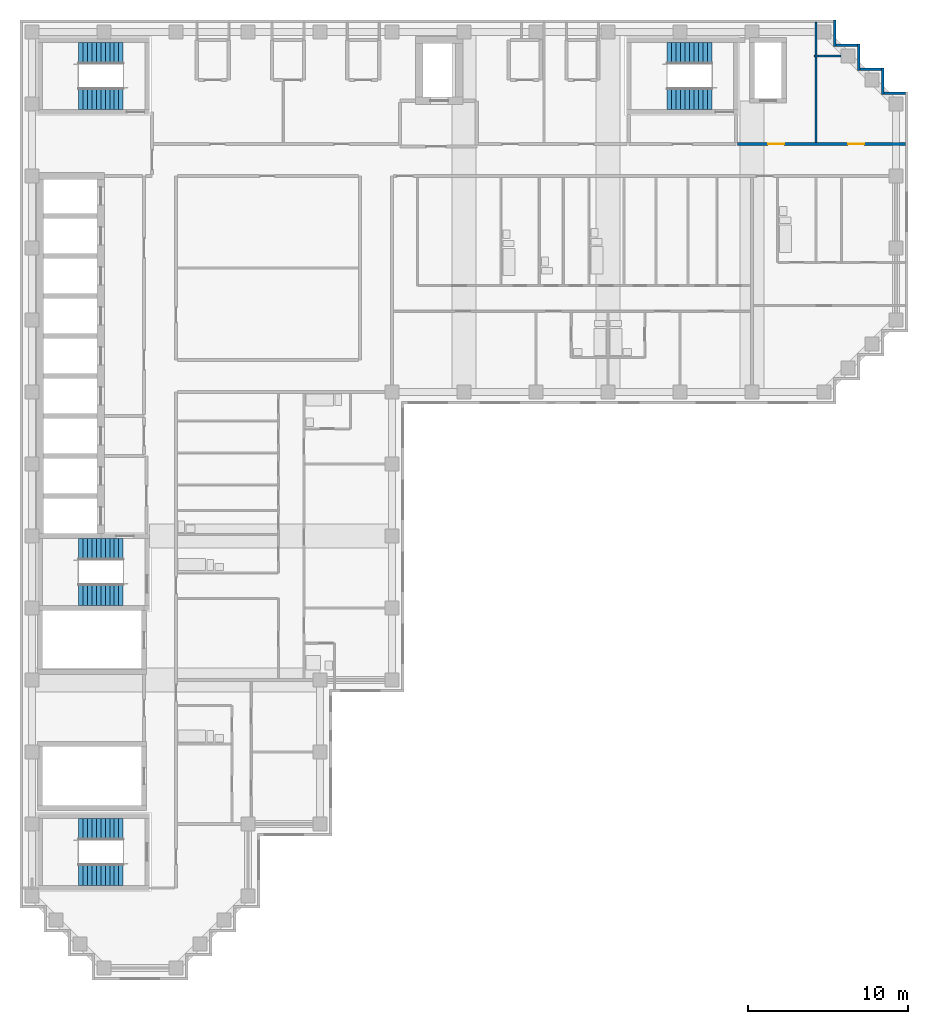
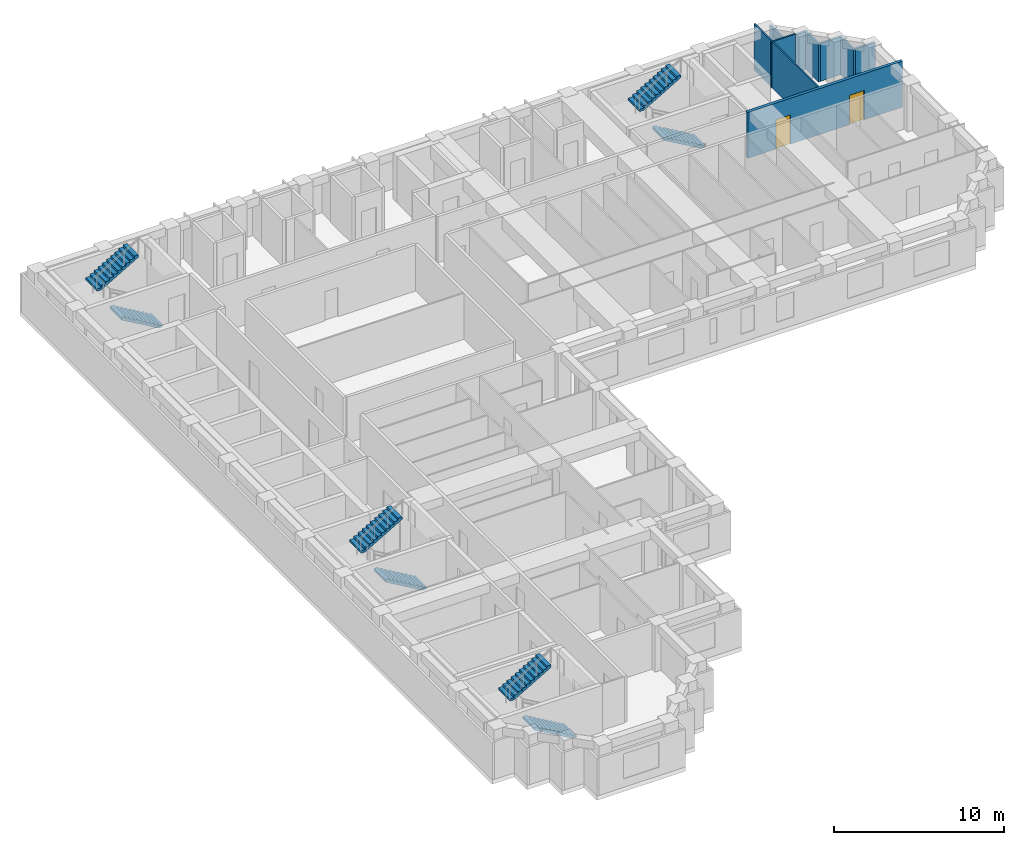
# One storey, part 8 of 10: 9 walls, 8 stair flights, 2 doors, 2 openings, 4 elements without a shape of their own.
"""IFC4 building model written with IfcOpenShell, lengths in metres."""

from ifc_helpers import new_model, si_unit, direction, frame, frame_2d, origin, place, context, subcontext, project, spatial, polyline, rectangle, outline, extrude, material, layer, layer_set, type_object, element, fill, aggregate, save


model = new_model("IFC4")

# Units and contexts
model_context = context("Model", 3, precision=1e-05, world=origin(), true_north=direction((0.0, 1.0)))
body_context = subcontext(model_context, "Body", "Model", "MODEL_VIEW")
ifc_project = project(units=[si_unit("LENGTHUNIT", "METRE"), si_unit("AREAUNIT", "SQUARE_METRE"), si_unit("VOLUMEUNIT", "CUBIC_METRE"), si_unit("PLANEANGLEUNIT", "RADIAN"), si_unit("MASSUNIT", "GRAM", prefix="KILO")], contexts=[model_context])

# Site, building, storey
site_placement = place(None, origin())
site = spatial("IfcSite", under=ifc_project, at=site_placement, CompositionType="ELEMENT")
building_placement = place(site_placement, origin())
building = spatial("IfcBuilding", under=site, at=building_placement, Name="Firuza Court", CompositionType="ELEMENT")
storey_placement = place(building_placement, frame((0.0, 0.0, 204.199951171875)))
storey = spatial("IfcBuildingStorey", under=building, at=storey_placement, Name="L52", CompositionType="ELEMENT", Elevation=204.199951171875)

# Wall, openings, doors
ifc_material_1 = material(Name="Blockwork, plastered both sides", Category="masonry")
ifc_layer_1 = layer(ifc_material_1, 0.199951171875)
ifc_layer_set_1 = layer_set([ifc_layer_1], Name="Blockwork, plastered both sides")
wall_type_1 = type_object("IfcWallType", Name="Corridor wall 200", PredefinedType="PARTITIONING", material=ifc_layer_set_1)
wall_1_placement = place(storey_placement, frame((44.10009765625, 51.5, 0.0), z_axis=(0.0, 0.0, 1.0), x_axis=(1.0, 0.0, 0.0)))
wall_1 = element("IfcWall", 1, at=wall_1_placement, inside=storey, type_object=wall_type_1, Name="Corridor wall 200 L52", PredefinedType="PARTITIONING", context=body_context, shape_type="SweptSolid", body=[
    extrude(rectangle(XDim=10.5, YDim=0.199951171875, at=frame_2d((5.25, 0.0))), origin(), (0.0, 0.0, 1.0), 3.300048828125),
])
opening_1_placement = place(wall_1_placement, frame((1.89990234375, 0.0, 0.0)))
opening_1 = element("IfcOpeningElement", 2, at=opening_1_placement, cuts=wall_1, Name="Opening D52063", PredefinedType="OPENING", context=body_context, shape_type="SweptSolid", body=[
    extrude(rectangle(XDim=1.0, YDim=2.10009765625, at=frame_2d((0.5, 1.050048828125))), frame((0.0, 0.11181640625, 0.0), z_axis=(0.0, -1.0, 0.0), x_axis=(1.0, 0.0, 0.0)), (0.0, 0.0, 1.0), 0.223876953125),
])
opening_2_placement = place(wall_1_placement, frame((6.89990234375, 0.0, 0.0)))
opening_2 = element("IfcOpeningElement", 3, at=opening_2_placement, cuts=wall_1, Name="Opening D52064", PredefinedType="OPENING", context=body_context, shape_type="SweptSolid", body=[
    extrude(rectangle(XDim=1.0, YDim=2.10009765625, at=frame_2d((0.5, 1.050048828125))), frame((0.0, 0.11181640625, 0.0), z_axis=(0.0, -1.0, 0.0), x_axis=(1.0, 0.0, 0.0)), (0.0, 0.0, 1.0), 0.223876953125),
])
ifc_material_2 = material(Name="Timber door leaf in hardwood frame", Category="wood")
door_type = type_object("IfcDoorType", Name="Store door 1000", OperationType="SINGLE_SWING_LEFT", PredefinedType="DOOR", material=ifc_material_2)
door_1_placement = place(opening_1_placement, origin())
door_1 = element("IfcDoor", 4, at=door_1_placement, inside=storey, type_object=door_type, Name="Valet store door", OperationType="SINGLE_SWING_LEFT", OverallHeight=2.10009765625, OverallWidth=1.0, PredefinedType="DOOR", context=body_context, shape_type="SweptSolid", body=[
    extrude(rectangle(XDim=1.0, YDim=2.10009765625, at=frame_2d((0.5, 1.050048828125))), frame((0.0, 0.02490234375, 0.0), z_axis=(0.0, -1.0, 0.0), x_axis=(1.0, 0.0, 0.0)), (0.0, 0.0, 1.0), 0.050048828125),
])
fill(opening_1, door_1)
door_2_placement = place(opening_2_placement, origin())
door_2 = element("IfcDoor", 5, at=door_2_placement, inside=storey, type_object=door_type, Name="Cleaner's store door", OperationType="SINGLE_SWING_LEFT", OverallHeight=2.10009765625, OverallWidth=1.0, PredefinedType="DOOR", context=body_context, shape_type="SweptSolid", body=[
    extrude(rectangle(XDim=1.0, YDim=2.10009765625, at=frame_2d((0.5, 1.050048828125))), frame((0.0, 0.02490234375, 0.0), z_axis=(0.0, -1.0, 0.0), x_axis=(1.0, 0.0, 0.0)), (0.0, 0.0, 1.0), 0.050048828125),
])
fill(opening_2, door_2)

# Walls
ifc_material_3 = material(Name="Timber stud partition, plasterboard both sides", Category="wood")
ifc_layer_2 = layer(ifc_material_3, 0.10009765625)
ifc_layer_set_2 = layer_set([ifc_layer_2], Name="Timber stud partition, plasterboard both sides")
wall_type_2 = type_object("IfcWallType", Name="Partition wall 100", PredefinedType="PARTITIONING", material=ifc_layer_set_2)
wall_2_placement = place(storey_placement, frame((49.0, 51.60009765625, 0.0), z_axis=(0.0, 0.0, 1.0), x_axis=(0.0, 1.0, 0.0)))
element("IfcWall", 6, at=wall_2_placement, inside=storey, type_object=wall_type_2, Name="Partition wall 100 L52", PredefinedType="PARTITIONING", context=body_context, shape_type="SweptSolid", body=[
    extrude(rectangle(XDim=7.5, YDim=0.10009765625, at=frame_2d((3.75, 0.0))), origin(), (0.0, 0.0, 1.0), 3.300048828125),
])
wall_3_placement = place(storey_placement, frame((48.89990234375, 57.0, 0.0), z_axis=(0.0, 0.0, 1.0), x_axis=(1.0, 0.0, 0.0)))
element("IfcWall", 7, at=wall_3_placement, inside=storey, type_object=wall_type_2, Name="Partition wall 100 L52", PredefinedType="PARTITIONING", context=body_context, shape_type="SweptSolid", body=[
    extrude(rectangle(XDim=1.650146484375, YDim=0.10009765625, at=frame_2d((0.8251953125, 0.0))), origin(), (0.0, 0.0, 1.0), 3.300048828125),
])
ifc_material_4 = material(Name="Ceramic tile", Category="ceramic")
ifc_layer_3 = layer(ifc_material_4, 0.02001953125)
ifc_material_5 = material(Name="Mineral wool insulation", Category="insulation")
ifc_layer_4 = layer(ifc_material_5, 0.050048828125)
ifc_material_6 = material(Name="Concrete C40/50 precast", Category="concrete")
ifc_layer_5 = layer(ifc_material_6, 0.080078125)
ifc_layer_set_3 = layer_set([ifc_layer_3, ifc_layer_4, ifc_layer_5], Name="Concrete C40/50 precast")
wall_type_3 = type_object("IfcWallType", Name="Precast cladding wall with turquoise TILE PANEL face 150", PredefinedType="STANDARD", material=ifc_layer_set_3)
wall_4_placement = place(storey_placement, frame((54.60009765625, 54.675048828125, 0.0), z_axis=(0.0, 0.0, 1.0), x_axis=(-1.0, 0.0, 0.0)))
element("IfcWall", 8, at=wall_4_placement, inside=storey, type_object=wall_type_3, Name="Facade wall L52 N", PredefinedType="STANDARD", context=body_context, shape_type="SweptSolid", body=[
    extrude(rectangle(XDim=1.35009765625, YDim=0.14990234375, at=frame_2d((0.675048828125, 0.0))), origin(), (0.0, 0.0, 1.0), 2.699951171875),
])
wall_5_placement = place(storey_placement, frame((53.175048828125, 54.60009765625, 0.0), z_axis=(0.0, 0.0, 1.0), x_axis=(0.0, 1.0, 0.0)))
element("IfcWall", 9, at=wall_5_placement, inside=storey, type_object=wall_type_3, Name="Facade wall L52 E", PredefinedType="STANDARD", context=body_context, shape_type="SweptSolid", body=[
    extrude(rectangle(XDim=1.64990234375, YDim=0.14990234375, at=frame_2d((0.824951171875, 0.0))), origin(), (0.0, 0.0, 1.0), 2.699951171875),
])
wall_6_placement = place(storey_placement, frame((53.10009765625, 56.175048828125, 0.0), z_axis=(0.0, 0.0, 1.0), x_axis=(-1.0, 0.0, 0.0)))
element("IfcWall", 10, at=wall_6_placement, inside=storey, type_object=wall_type_3, Name="Facade wall L52 N", PredefinedType="STANDARD", context=body_context, shape_type="SweptSolid", body=[
    extrude(rectangle(XDim=1.35009765625, YDim=0.14990234375, at=frame_2d((0.675048828125, 0.0))), origin(), (0.0, 0.0, 1.0), 2.699951171875),
])
wall_7_placement = place(storey_placement, frame((51.675048828125, 56.10009765625, 0.0), z_axis=(0.0, 0.0, 1.0), x_axis=(0.0, 1.0, 0.0)))
element("IfcWall", 11, at=wall_7_placement, inside=storey, type_object=wall_type_3, Name="Facade wall L52 E", PredefinedType="STANDARD", context=body_context, shape_type="SweptSolid", body=[
    extrude(rectangle(XDim=1.64990234375, YDim=0.14990234375, at=frame_2d((0.824951171875, 0.0))), origin(), (0.0, 0.0, 1.0), 2.699951171875),
])
wall_8_placement = place(storey_placement, frame((51.60009765625, 57.675048828125, 0.0), z_axis=(0.0, 0.0, 1.0), x_axis=(-1.0, 0.0, 0.0)))
element("IfcWall", 12, at=wall_8_placement, inside=storey, type_object=wall_type_3, Name="Facade wall L52 N", PredefinedType="STANDARD", context=body_context, shape_type="SweptSolid", body=[
    extrude(rectangle(XDim=1.35009765625, YDim=0.14990234375, at=frame_2d((0.675048828125, 0.0))), origin(), (0.0, 0.0, 1.0), 2.699951171875),
])
wall_9_placement = place(storey_placement, frame((50.175048828125, 57.60009765625, 0.0), z_axis=(0.0, 0.0, 1.0), x_axis=(0.0, 1.0, 0.0)))
element("IfcWall", 13, at=wall_9_placement, inside=storey, type_object=wall_type_3, Name="Facade wall L52 E", PredefinedType="STANDARD", context=body_context, shape_type="SweptSolid", body=[
    extrude(rectangle(XDim=1.64990234375, YDim=0.14990234375, at=frame_2d((0.824951171875, 0.0))), origin(), (0.0, 0.0, 1.0), 2.699951171875),
])

# Stair, stair flights
ifc_material_7 = material(Name="Concrete C40/50 precast", Category="concrete")
stair_type = type_object("IfcStairType", Name="Stair 1350 x 3600 2 flights", PredefinedType="HALF_TURN_STAIR", material=ifc_material_7)
stair_1_placement = place(storey_placement, origin())
stair_1 = element("IfcStair", 14, at=stair_1_placement, inside=storey, type_object=stair_type, Name="Stair 1 L52", PredefinedType="HALF_TURN_STAIR")
ifc_material_8 = material(Name="Concrete C40/50 precast", Category="concrete")
stair_flight_type = type_object("IfcStairFlightType", Name="Flight 1350 riser 163.6", PredefinedType="STRAIGHT", material=ifc_material_8)
stair_flight_1_placement = place(storey_placement, frame((42.5, 54.324951171875, 0.0), z_axis=(0.0, 0.0, 1.0), x_axis=(-1.0, 0.0, 0.0)))
stair_flight_1 = element("IfcStairFlight", 15, at=stair_flight_1_placement, type_object=stair_flight_type, Name="S1 flight 1", NumberOfRisers=11, NumberOfTreads=10, PredefinedType="STRAIGHT", RiserHeight=0.163636364, TreadLength=0.28, context=body_context, shape_type="SweptSolid", body=[
    extrude(outline(polyline([(0.0, 0.0), (0.0, 0.16357421875), (0.280029296875, 0.16357421875), (0.280029296875, 0.327392578125), (0.56005859375, 0.327392578125), (0.56005859375, 0.490966796875), (0.840087890625, 0.490966796875), (0.840087890625, 0.654541015625), (1.1201171875, 0.654541015625), (1.1201171875, 0.818115234375), (1.39990234375, 0.818115234375), (1.39990234375, 0.98193359375), (1.679931640625, 0.98193359375), (1.679931640625, 1.1455078125), (1.9599609375, 1.1455078125), (1.9599609375, 1.30908203125), (2.239990234375, 1.30908203125), (2.239990234375, 1.47265625), (2.52001953125, 1.47265625), (2.52001953125, 1.636474609375), (2.800048828125, 1.636474609375), (2.800048828125, 1.800048828125), (2.800048828125, 1.462646484375), (0.297119140625, 0.0), (0.0, 0.0)])), frame((0.0, 0.675048828125, 0.0), z_axis=(0.0, -1.0, 0.0), x_axis=(1.0, 0.0, 0.0)), (0.0, 0.0, 1.0), 1.35009765625),
])
stair_flight_2_placement = place(storey_placement, frame((39.699951171875, 57.175048828125, 1.800048828125), z_axis=(0.0, 0.0, 1.0), x_axis=(1.0, 0.0, 0.0)))
stair_flight_2 = element("IfcStairFlight", 16, at=stair_flight_2_placement, type_object=stair_flight_type, Name="S1 flight 2", NumberOfRisers=11, NumberOfTreads=10, PredefinedType="STRAIGHT", RiserHeight=0.163636364, TreadLength=0.28, context=body_context, shape_type="SweptSolid", body=[
    extrude(outline(polyline([(0.0, 0.0), (0.0, 0.16357421875), (0.280029296875, 0.16357421875), (0.280029296875, 0.327392578125), (0.56005859375, 0.327392578125), (0.56005859375, 0.490966796875), (0.840087890625, 0.490966796875), (0.840087890625, 0.654541015625), (1.1201171875, 0.654541015625), (1.1201171875, 0.818115234375), (1.39990234375, 0.818115234375), (1.39990234375, 0.98193359375), (1.679931640625, 0.98193359375), (1.679931640625, 1.1455078125), (1.9599609375, 1.1455078125), (1.9599609375, 1.30908203125), (2.239990234375, 1.30908203125), (2.239990234375, 1.47265625), (2.52001953125, 1.47265625), (2.52001953125, 1.636474609375), (2.800048828125, 1.636474609375), (2.800048828125, 1.800048828125), (2.800048828125, 1.462646484375), (0.297119140625, 0.0), (0.0, 0.0)])), frame((0.0, 0.675048828125, 0.0), z_axis=(0.0, -1.0, 0.0), x_axis=(1.0, 0.0, 0.0)), (0.0, 0.0, 1.0), 1.35009765625),
])
aggregate(stair_1, [stair_flight_1, stair_flight_2])

stair_2_placement = place(storey_placement, origin())
stair_2 = element("IfcStair", 17, at=stair_2_placement, inside=storey, type_object=stair_type, Name="Stair 2 L52", PredefinedType="HALF_TURN_STAIR")
stair_flight_3_placement = place(storey_placement, frame((5.699951171875, 23.324951171875, 0.0), z_axis=(0.0, 0.0, 1.0), x_axis=(-1.0, 0.0, 0.0)))
stair_flight_3 = element("IfcStairFlight", 18, at=stair_flight_3_placement, type_object=stair_flight_type, Name="S2 flight 1", NumberOfRisers=11, NumberOfTreads=10, PredefinedType="STRAIGHT", RiserHeight=0.163636364, TreadLength=0.28, context=body_context, shape_type="SweptSolid", body=[
    extrude(outline(polyline([(0.0, 0.0), (0.0, 0.16357421875), (0.280029296875, 0.16357421875), (0.280029296875, 0.327392578125), (0.56005859375, 0.327392578125), (0.56005859375, 0.490966796875), (0.840087890625, 0.490966796875), (0.840087890625, 0.654541015625), (1.1201171875, 0.654541015625), (1.1201171875, 0.818115234375), (1.39990234375, 0.818115234375), (1.39990234375, 0.98193359375), (1.679931640625, 0.98193359375), (1.679931640625, 1.1455078125), (1.9599609375, 1.1455078125), (1.9599609375, 1.30908203125), (2.239990234375, 1.30908203125), (2.239990234375, 1.47265625), (2.52001953125, 1.47265625), (2.52001953125, 1.636474609375), (2.800048828125, 1.636474609375), (2.800048828125, 1.800048828125), (2.800048828125, 1.462646484375), (0.297119140625, 0.0), (0.0, 0.0)])), frame((0.0, 0.675048828125, 0.0), z_axis=(0.0, -1.0, 0.0), x_axis=(1.0, 0.0, 0.0)), (0.0, 0.0, 1.0), 1.35009765625),
])
stair_flight_4_placement = place(storey_placement, frame((2.89990234375, 26.175048828125, 1.800048828125), z_axis=(0.0, 0.0, 1.0), x_axis=(1.0, 0.0, 0.0)))
stair_flight_4 = element("IfcStairFlight", 19, at=stair_flight_4_placement, type_object=stair_flight_type, Name="S2 flight 2", NumberOfRisers=11, NumberOfTreads=10, PredefinedType="STRAIGHT", RiserHeight=0.163636364, TreadLength=0.28, context=body_context, shape_type="SweptSolid", body=[
    extrude(outline(polyline([(0.0, 0.0), (0.0, 0.16357421875), (0.280029296875, 0.16357421875), (0.280029296875, 0.327392578125), (0.56005859375, 0.327392578125), (0.56005859375, 0.490966796875), (0.840087890625, 0.490966796875), (0.840087890625, 0.654541015625), (1.1201171875, 0.654541015625), (1.1201171875, 0.818115234375), (1.39990234375, 0.818115234375), (1.39990234375, 0.98193359375), (1.679931640625, 0.98193359375), (1.679931640625, 1.1455078125), (1.9599609375, 1.1455078125), (1.9599609375, 1.30908203125), (2.239990234375, 1.30908203125), (2.239990234375, 1.47265625), (2.52001953125, 1.47265625), (2.52001953125, 1.636474609375), (2.800048828125, 1.636474609375), (2.800048828125, 1.800048828125), (2.800048828125, 1.462646484375), (0.297119140625, 0.0), (0.0, 0.0)])), frame((0.0, 0.675048828125, 0.0), z_axis=(0.0, -1.0, 0.0), x_axis=(1.0, 0.0, 0.0)), (0.0, 0.0, 1.0), 1.35009765625),
])
aggregate(stair_2, [stair_flight_3, stair_flight_4])

stair_3_placement = place(storey_placement, origin())
stair_3 = element("IfcStair", 20, at=stair_3_placement, inside=storey, type_object=stair_type, Name="Stair 3 L52", PredefinedType="HALF_TURN_STAIR")
stair_flight_5_placement = place(storey_placement, frame((5.699951171875, 54.324951171875, 0.0), z_axis=(0.0, 0.0, 1.0), x_axis=(-1.0, 0.0, 0.0)))
stair_flight_5 = element("IfcStairFlight", 21, at=stair_flight_5_placement, type_object=stair_flight_type, Name="S3 flight 1", NumberOfRisers=11, NumberOfTreads=10, PredefinedType="STRAIGHT", RiserHeight=0.163636364, TreadLength=0.28, context=body_context, shape_type="SweptSolid", body=[
    extrude(outline(polyline([(0.0, 0.0), (0.0, 0.16357421875), (0.280029296875, 0.16357421875), (0.280029296875, 0.327392578125), (0.56005859375, 0.327392578125), (0.56005859375, 0.490966796875), (0.840087890625, 0.490966796875), (0.840087890625, 0.654541015625), (1.1201171875, 0.654541015625), (1.1201171875, 0.818115234375), (1.39990234375, 0.818115234375), (1.39990234375, 0.98193359375), (1.679931640625, 0.98193359375), (1.679931640625, 1.1455078125), (1.9599609375, 1.1455078125), (1.9599609375, 1.30908203125), (2.239990234375, 1.30908203125), (2.239990234375, 1.47265625), (2.52001953125, 1.47265625), (2.52001953125, 1.636474609375), (2.800048828125, 1.636474609375), (2.800048828125, 1.800048828125), (2.800048828125, 1.462646484375), (0.297119140625, 0.0), (0.0, 0.0)])), frame((0.0, 0.675048828125, 0.0), z_axis=(0.0, -1.0, 0.0), x_axis=(1.0, 0.0, 0.0)), (0.0, 0.0, 1.0), 1.35009765625),
])
stair_flight_6_placement = place(storey_placement, frame((2.89990234375, 57.175048828125, 1.800048828125), z_axis=(0.0, 0.0, 1.0), x_axis=(1.0, 0.0, 0.0)))
stair_flight_6 = element("IfcStairFlight", 22, at=stair_flight_6_placement, type_object=stair_flight_type, Name="S3 flight 2", NumberOfRisers=11, NumberOfTreads=10, PredefinedType="STRAIGHT", RiserHeight=0.163636364, TreadLength=0.28, context=body_context, shape_type="SweptSolid", body=[
    extrude(outline(polyline([(0.0, 0.0), (0.0, 0.16357421875), (0.280029296875, 0.16357421875), (0.280029296875, 0.327392578125), (0.56005859375, 0.327392578125), (0.56005859375, 0.490966796875), (0.840087890625, 0.490966796875), (0.840087890625, 0.654541015625), (1.1201171875, 0.654541015625), (1.1201171875, 0.818115234375), (1.39990234375, 0.818115234375), (1.39990234375, 0.98193359375), (1.679931640625, 0.98193359375), (1.679931640625, 1.1455078125), (1.9599609375, 1.1455078125), (1.9599609375, 1.30908203125), (2.239990234375, 1.30908203125), (2.239990234375, 1.47265625), (2.52001953125, 1.47265625), (2.52001953125, 1.636474609375), (2.800048828125, 1.636474609375), (2.800048828125, 1.800048828125), (2.800048828125, 1.462646484375), (0.297119140625, 0.0), (0.0, 0.0)])), frame((0.0, 0.675048828125, 0.0), z_axis=(0.0, -1.0, 0.0), x_axis=(1.0, 0.0, 0.0)), (0.0, 0.0, 1.0), 1.35009765625),
])
aggregate(stair_3, [stair_flight_5, stair_flight_6])

stair_4_placement = place(storey_placement, origin())
stair_4 = element("IfcStair", 23, at=stair_4_placement, inside=storey, type_object=stair_type, Name="Stair 5 L52", PredefinedType="HALF_TURN_STAIR")
stair_flight_7_placement = place(storey_placement, frame((5.699951171875, 5.824951171875, 0.0), z_axis=(0.0, 0.0, 1.0), x_axis=(-1.0, 0.0, 0.0)))
stair_flight_7 = element("IfcStairFlight", 24, at=stair_flight_7_placement, type_object=stair_flight_type, Name="S5 flight 1", NumberOfRisers=11, NumberOfTreads=10, PredefinedType="STRAIGHT", RiserHeight=0.163636364, TreadLength=0.28, context=body_context, shape_type="SweptSolid", body=[
    extrude(outline(polyline([(0.0, 0.0), (0.0, 0.16357421875), (0.280029296875, 0.16357421875), (0.280029296875, 0.327392578125), (0.56005859375, 0.327392578125), (0.56005859375, 0.490966796875), (0.840087890625, 0.490966796875), (0.840087890625, 0.654541015625), (1.1201171875, 0.654541015625), (1.1201171875, 0.818115234375), (1.39990234375, 0.818115234375), (1.39990234375, 0.98193359375), (1.679931640625, 0.98193359375), (1.679931640625, 1.1455078125), (1.9599609375, 1.1455078125), (1.9599609375, 1.30908203125), (2.239990234375, 1.30908203125), (2.239990234375, 1.47265625), (2.52001953125, 1.47265625), (2.52001953125, 1.636474609375), (2.800048828125, 1.636474609375), (2.800048828125, 1.800048828125), (2.800048828125, 1.462646484375), (0.297119140625, 0.0), (0.0, 0.0)])), frame((0.0, 0.675048828125, 0.0), z_axis=(0.0, -1.0, 0.0), x_axis=(1.0, 0.0, 0.0)), (0.0, 0.0, 1.0), 1.35009765625),
])
stair_flight_8_placement = place(storey_placement, frame((2.89990234375, 8.675048828125, 1.800048828125), z_axis=(0.0, 0.0, 1.0), x_axis=(1.0, 0.0, 0.0)))
stair_flight_8 = element("IfcStairFlight", 25, at=stair_flight_8_placement, type_object=stair_flight_type, Name="S5 flight 2", NumberOfRisers=11, NumberOfTreads=10, PredefinedType="STRAIGHT", RiserHeight=0.163636364, TreadLength=0.28, context=body_context, shape_type="SweptSolid", body=[
    extrude(outline(polyline([(0.0, 0.0), (0.0, 0.16357421875), (0.280029296875, 0.16357421875), (0.280029296875, 0.327392578125), (0.56005859375, 0.327392578125), (0.56005859375, 0.490966796875), (0.840087890625, 0.490966796875), (0.840087890625, 0.654541015625), (1.1201171875, 0.654541015625), (1.1201171875, 0.818115234375), (1.39990234375, 0.818115234375), (1.39990234375, 0.98193359375), (1.679931640625, 0.98193359375), (1.679931640625, 1.1455078125), (1.9599609375, 1.1455078125), (1.9599609375, 1.30908203125), (2.239990234375, 1.30908203125), (2.239990234375, 1.47265625), (2.52001953125, 1.47265625), (2.52001953125, 1.636474609375), (2.800048828125, 1.636474609375), (2.800048828125, 1.800048828125), (2.800048828125, 1.462646484375), (0.297119140625, 0.0), (0.0, 0.0)])), frame((0.0, 0.675048828125, 0.0), z_axis=(0.0, -1.0, 0.0), x_axis=(1.0, 0.0, 0.0)), (0.0, 0.0, 1.0), 1.35009765625),
])
aggregate(stair_4, [stair_flight_7, stair_flight_8])

save(model, "model.ifc")
